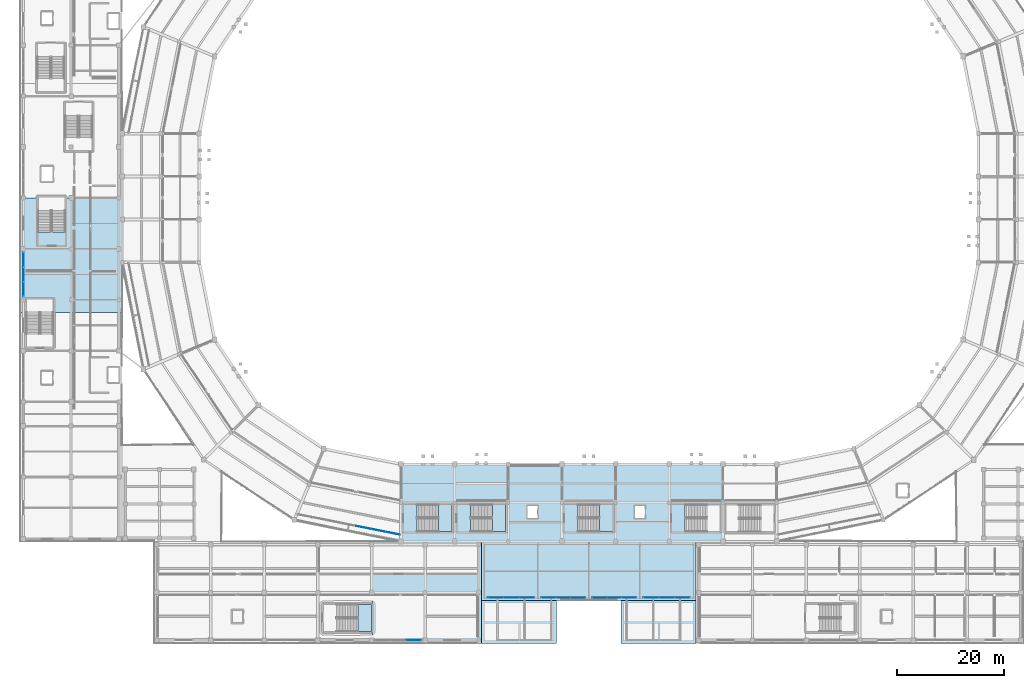
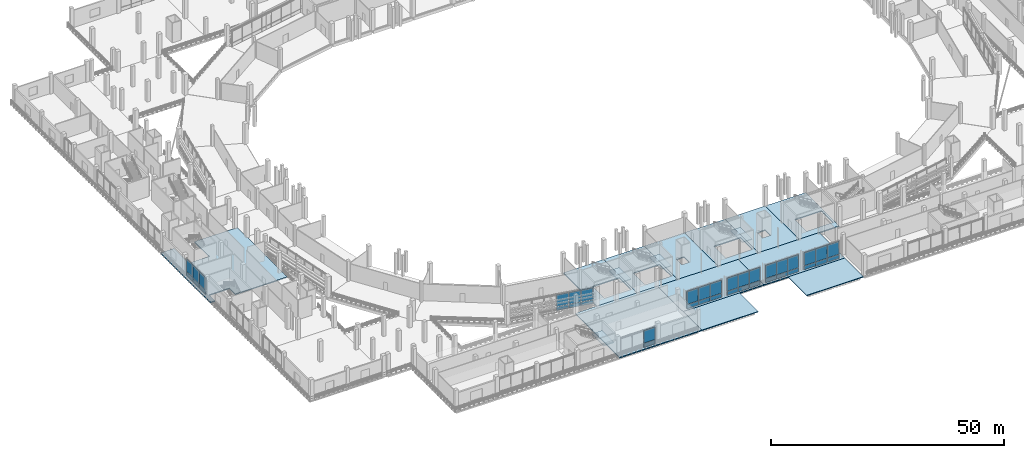
# One storey, part 63 of 114: 38 plates, 16 slabs, 11 elements without a shape of their own.
"""IFC4 building model written with IfcOpenShell, lengths in metres."""

from ifc_helpers import new_model, si_unit, direction, frame, origin, origin_2d, place, context, subcontext, project, spatial, polyline, rectangle, outline, extrude, material, layer, layer_set, type_object, element, aggregate, save


model = new_model("IFC4")

# Units and contexts
model_context = context("Model", 3, precision=1e-05, world=origin(), true_north=direction((0.0, 1.0)))
body_context = subcontext(model_context, "Body", "Model", "MODEL_VIEW")
ifc_project = project(units=[si_unit("LENGTHUNIT", "METRE"), si_unit("AREAUNIT", "SQUARE_METRE"), si_unit("VOLUMEUNIT", "CUBIC_METRE"), si_unit("PLANEANGLEUNIT", "RADIAN"), si_unit("MASSUNIT", "GRAM", prefix="KILO")], contexts=[model_context])

# Site, building, storey
site_placement = place(None, origin())
site = spatial("IfcSite", under=ifc_project, at=site_placement, CompositionType="ELEMENT")
building_placement = place(site_placement, origin())
building = spatial("IfcBuilding", under=site, at=building_placement, Name="Candeia Ridge Stadium", CompositionType="ELEMENT")
storey_placement = place(building_placement, frame((0.0, 0.0, 5.39990234375)))
storey = spatial("IfcBuildingStorey", under=building, at=storey_placement, Name="L01", CompositionType="ELEMENT", Elevation=5.39990234375)

# Slabs
ifc_material_1 = material(Name="Concrete C40/50", Category="concrete")
ifc_layer_1 = layer(ifc_material_1, 0.199951171875, Name="Concrete C40/50", Category="concrete")
ifc_layer_set_1 = layer_set([ifc_layer_1], Name="Concrete C40/50")
slab_type_1 = type_object("IfcSlabType", Name="Canopy Timber-Concrete Deck 200", PredefinedType="ROOF", material=ifc_layer_set_1)
slab_1_placement = place(storey_placement, frame((0.0, 0.0, -0.199951171875)))
element("IfcSlab", 1, at=slab_1_placement, inside=storey, type_object=slab_type_1, Name="Planted roof garden slab SLB-L01-0243", PredefinedType="ROOF", context=body_context, shape_type="SweptSolid", body=[
    extrude(outline(polyline([(86.0, 0.0), (86.0, 8.0), (100.0, 8.0), (100.0, 0.0), (86.0, 0.0)])), origin(), (0.0, 0.0, 1.0), 0.199951171875),
])
slab_2_placement = place(storey_placement, frame((0.0, 0.0, -0.199951171875)))
element("IfcSlab", 2, at=slab_2_placement, inside=storey, type_object=slab_type_1, Name="Planted roof garden slab SLB-L01-0244", PredefinedType="ROOF", context=body_context, shape_type="SweptSolid", body=[
    extrude(outline(polyline([(112.0, 0.0), (112.0, 8.0), (126.0, 8.0), (126.0, 0.0), (112.0, 0.0)])), origin(), (0.0, 0.0, 1.0), 0.199951171875),
])
ifc_layer_2 = layer(ifc_material_1, 0.260009765625, Name="Concrete C40/50", Category="concrete")
ifc_layer_set_2 = layer_set([ifc_layer_2], Name="Concrete C40/50")
slab_type_2 = type_object("IfcSlabType", Name="Concourse Structural Slab 260", PredefinedType="FLOOR", material=ifc_layer_set_2)
slab_3_placement = place(storey_placement, frame((0.0, 0.0, -0.260009765625)))
element("IfcSlab", 3, at=slab_3_placement, inside=storey, type_object=slab_type_2, Name="Bowl concourse sector slab L01 bay 19 SLB-L01-0055", PredefinedType="FLOOR", context=body_context, shape_type="SweptSolid", body=[
    extrude(outline(polyline([(81.0, 33.39990234375), (81.0, 19.0), (71.0400390625, 19.0), (71.0400390625, 33.39990234375), (81.0, 33.39990234375)]), holes=[polyline([(73.95068359375, 20.800048828125), (80.5, 20.800048828125), (80.5, 25.85009765625), (73.95068359375, 25.85009765625), (73.95068359375, 20.800048828125)])]), origin(), (0.0, 0.0, 1.0), 0.260009765625),
])
slab_4_placement = place(storey_placement, frame((0.0, 0.0, -0.260009765625)))
element("IfcSlab", 4, at=slab_4_placement, inside=storey, type_object=slab_type_2, Name="Bowl concourse sector slab L01 bay 20 SLB-L01-0056", PredefinedType="FLOOR", context=body_context, shape_type="SweptSolid", body=[
    extrude(outline(polyline([(91.0, 33.39990234375), (91.0, 19.0), (81.0, 19.0), (81.0, 33.39990234375), (91.0, 33.39990234375)]), holes=[polyline([(83.95068359375, 20.800048828125), (90.5, 20.800048828125), (90.5, 25.85009765625), (83.95068359375, 25.85009765625), (83.95068359375, 20.800048828125)])]), origin(), (0.0, 0.0, 1.0), 0.260009765625),
])
slab_5_placement = place(storey_placement, frame((0.0, 0.0, -0.260009765625)))
element("IfcSlab", 5, at=slab_5_placement, inside=storey, type_object=slab_type_2, Name="Bowl concourse sector slab L01 bay 21 SLB-L01-0057", PredefinedType="FLOOR", context=body_context, shape_type="SweptSolid", body=[
    extrude(outline(polyline([(101.0, 33.39990234375), (101.0, 19.0), (91.0, 19.0), (91.0, 33.39990234375), (101.0, 33.39990234375)]), holes=[polyline([(96.449951171875, 23.35009765625), (96.449951171875, 25.64990234375), (94.550048828125, 25.64990234375), (94.550048828125, 23.35009765625), (96.449951171875, 23.35009765625)])]), origin(), (0.0, 0.0, 1.0), 0.260009765625),
])
slab_6_placement = place(storey_placement, frame((0.0, 0.0, -0.260009765625)))
element("IfcSlab", 6, at=slab_6_placement, inside=storey, type_object=slab_type_2, Name="Bowl concourse sector slab L01 bay 22 SLB-L01-0058", PredefinedType="FLOOR", context=body_context, shape_type="SweptSolid", body=[
    extrude(outline(polyline([(111.0, 33.39990234375), (111.0, 19.0), (101.0, 19.0), (101.0, 33.39990234375), (111.0, 33.39990234375)]), holes=[polyline([(103.95068359375, 20.800048828125), (110.5, 20.800048828125), (110.5, 25.85009765625), (103.95068359375, 25.85009765625), (103.95068359375, 20.800048828125)])]), origin(), (0.0, 0.0, 1.0), 0.260009765625),
])
slab_7_placement = place(storey_placement, frame((0.0, 0.0, -0.260009765625)))
element("IfcSlab", 7, at=slab_7_placement, inside=storey, type_object=slab_type_2, Name="Bowl concourse sector slab L01 bay 23 SLB-L01-0059", PredefinedType="FLOOR", context=body_context, shape_type="SweptSolid", body=[
    extrude(outline(polyline([(121.0, 33.39990234375), (121.0, 19.0), (111.0, 19.0), (111.0, 33.39990234375), (121.0, 33.39990234375)]), holes=[polyline([(116.449951171875, 23.35009765625), (116.449951171875, 25.64990234375), (114.550048828125, 25.64990234375), (114.550048828125, 23.35009765625), (116.449951171875, 23.35009765625)])]), origin(), (0.0, 0.0, 1.0), 0.260009765625),
])
slab_8_placement = place(storey_placement, frame((0.0, 0.0, -0.260009765625)))
element("IfcSlab", 8, at=slab_8_placement, inside=storey, type_object=slab_type_2, Name="Bowl concourse sector slab L01 bay 24 SLB-L01-0060", PredefinedType="FLOOR", context=body_context, shape_type="SweptSolid", body=[
    extrude(outline(polyline([(131.0, 33.39990234375), (131.0, 19.0), (121.0, 19.0), (121.0, 33.39990234375), (131.0, 33.39990234375)]), holes=[polyline([(123.95068359375, 20.800048828125), (130.5, 20.800048828125), (130.5, 25.85009765625), (123.95068359375, 25.85009765625), (123.95068359375, 20.800048828125)])]), origin(), (0.0, 0.0, 1.0), 0.260009765625),
])
slab_9_placement = place(storey_placement, frame((0.0, 0.0, -0.260009765625)))
element("IfcSlab", 9, at=slab_9_placement, inside=storey, type_object=slab_type_2, Name="Wing floor slab sgate SLB-L01-0230", PredefinedType="FLOOR", context=body_context, shape_type="SweptSolid", body=[
    extrude(outline(polyline([(86.0, 8.0), (86.0, 19.0), (106.0, 19.0), (106.0, 8.0), (86.0, 8.0)])), origin(), (0.0, 0.0, 1.0), 0.260009765625),
])
slab_10_placement = place(storey_placement, frame((0.0, 0.0, -0.260009765625)))
element("IfcSlab", 10, at=slab_10_placement, inside=storey, type_object=slab_type_2, Name="Wing floor slab sgate SLB-L01-0231", PredefinedType="FLOOR", context=body_context, shape_type="SweptSolid", body=[
    extrude(outline(polyline([(106.0, 8.0), (106.0, 19.0), (126.0, 19.0), (126.0, 8.0), (106.0, 8.0)])), origin(), (0.0, 0.0, 1.0), 0.260009765625),
])

# Stair, slab
stair_type = type_object("IfcStairType", Name="Enclosed Core Half-Turn Stair 2450", PredefinedType="HALF_TURN_STAIR", material=ifc_material_1)
stair_1_placement = place(storey_placement, origin())
stair_1 = element("IfcStair", 11, at=stair_1_placement, inside=storey, type_object=stair_type, Name="L01 Enclosed exit stair ST02", PredefinedType="HALF_TURN_STAIR")
ifc_layer_3 = layer(ifc_material_1, 0.199951171875, Name="Concrete C40/50", Category="concrete")
ifc_layer_set_3 = layer_set([ifc_layer_3], Name="Concrete C40/50")
slab_type_3 = type_object("IfcSlabType", Name="Core Stair Landing Slab 200", PredefinedType="LANDING", material=ifc_layer_set_3)
slab_11_placement = place(storey_placement, frame((0.0, 0.0, 2.5)))
slab_11 = element("IfcSlab", 12, at=slab_11_placement, type_object=slab_type_3, Name="ST02 landing 1", PredefinedType="LANDING", context=body_context, shape_type="SweptSolid", body=[
    extrude(outline(polyline([(78.010009765625, 20.800048828125), (80.5, 20.800048828125), (80.5, 25.85009765625), (78.010009765625, 25.85009765625), (78.010009765625, 20.800048828125)])), origin(), (0.0, 0.0, 1.0), 0.2001953125),
])
aggregate(stair_1, [slab_11])

stair_2_placement = place(storey_placement, origin())
stair_2 = element("IfcStair", 13, at=stair_2_placement, inside=storey, type_object=stair_type, Name="L01 Enclosed exit stair ST11", PredefinedType="HALF_TURN_STAIR")
slab_12_placement = place(storey_placement, frame((0.0, 0.0, 2.5)))
slab_12 = element("IfcSlab", 14, at=slab_12_placement, type_object=slab_type_3, Name="ST11 landing 1", PredefinedType="LANDING", context=body_context, shape_type="SweptSolid", body=[
    extrude(outline(polyline([(88.010009765625, 20.800048828125), (90.5, 20.800048828125), (90.5, 25.85009765625), (88.010009765625, 25.85009765625), (88.010009765625, 20.800048828125)])), origin(), (0.0, 0.0, 1.0), 0.2001953125),
])
aggregate(stair_2, [slab_12])

stair_3_placement = place(storey_placement, origin())
stair_3 = element("IfcStair", 15, at=stair_3_placement, inside=storey, type_object=stair_type, Name="L01 Enclosed exit stair ST13", PredefinedType="HALF_TURN_STAIR")
slab_13_placement = place(storey_placement, frame((0.0, 0.0, 2.5)))
slab_13 = element("IfcSlab", 16, at=slab_13_placement, type_object=slab_type_3, Name="ST13 landing 1", PredefinedType="LANDING", context=body_context, shape_type="SweptSolid", body=[
    extrude(outline(polyline([(63.010009765625, 2.199951171875), (65.5, 2.199951171875), (65.5, 7.25), (63.010009765625, 7.25), (63.010009765625, 2.199951171875)])), origin(), (0.0, 0.0, 1.0), 0.2001953125),
])
aggregate(stair_3, [slab_13])

stair_4_placement = place(storey_placement, origin())
stair_4 = element("IfcStair", 17, at=stair_4_placement, inside=storey, type_object=stair_type, Name="L01 Enclosed exit stair ST18", PredefinedType="HALF_TURN_STAIR")
slab_14_placement = place(storey_placement, frame((0.0, 0.0, 2.5)))
slab_14 = element("IfcSlab", 18, at=slab_14_placement, type_object=slab_type_3, Name="ST18 landing 1", PredefinedType="LANDING", context=body_context, shape_type="SweptSolid", body=[
    extrude(outline(polyline([(108.010009765625, 20.800048828125), (110.5, 20.800048828125), (110.5, 25.85009765625), (108.010009765625, 25.85009765625), (108.010009765625, 20.800048828125)])), origin(), (0.0, 0.0, 1.0), 0.2001953125),
])
aggregate(stair_4, [slab_14])

# Curtain wall, plates
ifc_material_2 = material(Name="Aluminium Anodized Warm Bronze", Category="aluminium")
curtain_wall_type_1 = type_object("IfcCurtainWallType", Name="Cardinal Entrance Gate Tall Glazed Curtain Wall", PredefinedType="NOTDEFINED", material=ifc_material_2)
curtain_wall_1_placement = place(storey_placement, origin())
curtain_wall_1 = element("IfcCurtainWall", 19, at=curtain_wall_1_placement, inside=storey, type_object=curtain_wall_type_1, Name="Unitised curtain wall CW-WNG-L01-077", PredefinedType="NOTDEFINED")
ifc_material_3 = material(Name="Laminated Acoustic Glazing", Category="glass")
ifc_layer_4 = layer(ifc_material_3, 0.035888671875, Name="Laminated Acoustic Glazing", Category="glass")
ifc_layer_set_4 = layer_set([ifc_layer_4], Name="Laminated Acoustic Glazing")
plate_type_1 = type_object("IfcPlateType", Name="Gate Tall Laminated Glass Panel GP3", PredefinedType="CURTAIN_PANEL", material=ifc_layer_set_4)
plate_1_placement = place(storey_placement, frame((0.60009765625, 66.023193359375, 1.14013671875), z_axis=(0.0, 0.0, 1.0), x_axis=(0.0, 1.0, 0.0)))
plate_1 = element("IfcPlate", 20, at=plate_1_placement, type_object=plate_type_1, Name="Curtain wall vision glass panel CW-WNG-L01-077-GP0", PredefinedType="CURTAIN_PANEL", context=body_context, shape_type="SweptSolid", body=[
    extrude(rectangle(XDim=2.65673828125, YDim=0.035888671875, at=origin_2d()), origin(), (0.0, 0.0, 1.0), 3.294921875),
])
plate_2_placement = place(storey_placement, frame((0.60009765625, 68.75, 1.14013671875), z_axis=(0.0, 0.0, 1.0), x_axis=(0.0, 1.0, 0.0)))
plate_2 = element("IfcPlate", 21, at=plate_2_placement, type_object=plate_type_1, Name="Curtain wall vision glass panel CW-WNG-L01-077-GP1", PredefinedType="CURTAIN_PANEL", context=body_context, shape_type="SweptSolid", body=[
    extrude(rectangle(XDim=2.65673828125, YDim=0.035888671875, at=origin_2d()), origin(), (0.0, 0.0, 1.0), 3.294921875),
])
plate_3_placement = place(storey_placement, frame((0.60009765625, 71.476806640625, 1.14013671875), z_axis=(0.0, 0.0, 1.0), x_axis=(0.0, 1.0, 0.0)))
plate_3 = element("IfcPlate", 22, at=plate_3_placement, type_object=plate_type_1, Name="Curtain wall vision glass panel CW-WNG-L01-077-GP2", PredefinedType="CURTAIN_PANEL", context=body_context, shape_type="SweptSolid", body=[
    extrude(rectangle(XDim=2.65673828125, YDim=0.035888671875, at=origin_2d()), origin(), (0.0, 0.0, 1.0), 3.294921875),
])

curtain_wall_2_placement = place(storey_placement, origin())
curtain_wall_2 = element("IfcCurtainWall", 23, at=curtain_wall_2_placement, inside=storey, type_object=curtain_wall_type_1, Name="Unitised curtain wall CW-WNG-L01-117", PredefinedType="NOTDEFINED")
plate_4_placement = place(storey_placement, frame((88.606689453125, 8.5, 1.14013671875), z_axis=(0.0, 0.0, 1.0), x_axis=(1.0, 0.0, 0.0)))
plate_4 = element("IfcPlate", 24, at=plate_4_placement, type_object=plate_type_1, Name="Curtain wall vision glass panel CW-WNG-L01-117-GP0", PredefinedType="CURTAIN_PANEL", context=body_context, shape_type="SweptSolid", body=[
    extrude(rectangle(XDim=2.8232421875, YDim=0.035888671875, at=origin_2d()), origin(), (0.0, 0.0, 1.0), 3.412109375),
])
plate_5_placement = place(storey_placement, frame((91.5, 8.5, 1.14013671875), z_axis=(0.0, 0.0, 1.0), x_axis=(1.0, 0.0, 0.0)))
plate_5 = element("IfcPlate", 25, at=plate_5_placement, type_object=plate_type_1, Name="Curtain wall vision glass panel CW-WNG-L01-117-GP1", PredefinedType="CURTAIN_PANEL", context=body_context, shape_type="SweptSolid", body=[
    extrude(rectangle(XDim=2.8232421875, YDim=0.035888671875, at=origin_2d()), origin(), (0.0, 0.0, 1.0), 3.412109375),
])
plate_6_placement = place(storey_placement, frame((94.393310546875, 8.5, 1.14013671875), z_axis=(0.0, 0.0, 1.0), x_axis=(1.0, 0.0, 0.0)))
plate_6 = element("IfcPlate", 26, at=plate_6_placement, type_object=plate_type_1, Name="Curtain wall vision glass panel CW-WNG-L01-117-GP2", PredefinedType="CURTAIN_PANEL", context=body_context, shape_type="SweptSolid", body=[
    extrude(rectangle(XDim=2.8232421875, YDim=0.035888671875, at=origin_2d()), origin(), (0.0, 0.0, 1.0), 3.412109375),
])

curtain_wall_3_placement = place(storey_placement, origin())
curtain_wall_3 = element("IfcCurtainWall", 27, at=curtain_wall_3_placement, inside=storey, type_object=curtain_wall_type_1, Name="Unitised curtain wall CW-WNG-L01-118", PredefinedType="NOTDEFINED")
plate_7_placement = place(storey_placement, frame((98.523193359375, 8.5, 1.14013671875), z_axis=(0.0, 0.0, 1.0), x_axis=(1.0, 0.0, 0.0)))
plate_7 = element("IfcPlate", 28, at=plate_7_placement, type_object=plate_type_1, Name="Curtain wall vision glass panel CW-WNG-L01-118-GP0", PredefinedType="CURTAIN_PANEL", context=body_context, shape_type="SweptSolid", body=[
    extrude(rectangle(XDim=2.65673828125, YDim=0.035888671875, at=origin_2d()), origin(), (0.0, 0.0, 1.0), 3.412109375),
])
plate_8_placement = place(storey_placement, frame((101.25, 8.5, 1.14013671875), z_axis=(0.0, 0.0, 1.0), x_axis=(1.0, 0.0, 0.0)))
plate_8 = element("IfcPlate", 29, at=plate_8_placement, type_object=plate_type_1, Name="Curtain wall vision glass panel CW-WNG-L01-118-GP1", PredefinedType="CURTAIN_PANEL", context=body_context, shape_type="SweptSolid", body=[
    extrude(rectangle(XDim=2.65673828125, YDim=0.035888671875, at=origin_2d()), origin(), (0.0, 0.0, 1.0), 3.412109375),
])
plate_9_placement = place(storey_placement, frame((103.976806640625, 8.5, 1.14013671875), z_axis=(0.0, 0.0, 1.0), x_axis=(1.0, 0.0, 0.0)))
plate_9 = element("IfcPlate", 30, at=plate_9_placement, type_object=plate_type_1, Name="Curtain wall vision glass panel CW-WNG-L01-118-GP2", PredefinedType="CURTAIN_PANEL", context=body_context, shape_type="SweptSolid", body=[
    extrude(rectangle(XDim=2.65673828125, YDim=0.035888671875, at=origin_2d()), origin(), (0.0, 0.0, 1.0), 3.412109375),
])

curtain_wall_4_placement = place(storey_placement, origin())
curtain_wall_4 = element("IfcCurtainWall", 31, at=curtain_wall_4_placement, inside=storey, type_object=curtain_wall_type_1, Name="Unitised curtain wall CW-WNG-L01-119", PredefinedType="NOTDEFINED")
plate_10_placement = place(storey_placement, frame((108.023193359375, 8.5, 1.14013671875), z_axis=(0.0, 0.0, 1.0), x_axis=(1.0, 0.0, 0.0)))
plate_10 = element("IfcPlate", 32, at=plate_10_placement, type_object=plate_type_1, Name="Curtain wall vision glass panel CW-WNG-L01-119-GP0", PredefinedType="CURTAIN_PANEL", context=body_context, shape_type="SweptSolid", body=[
    extrude(rectangle(XDim=2.65673828125, YDim=0.035888671875, at=origin_2d()), origin(), (0.0, 0.0, 1.0), 3.412109375),
])
plate_11_placement = place(storey_placement, frame((110.75, 8.5, 1.14013671875), z_axis=(0.0, 0.0, 1.0), x_axis=(1.0, 0.0, 0.0)))
plate_11 = element("IfcPlate", 33, at=plate_11_placement, type_object=plate_type_1, Name="Curtain wall vision glass panel CW-WNG-L01-119-GP1", PredefinedType="CURTAIN_PANEL", context=body_context, shape_type="SweptSolid", body=[
    extrude(rectangle(XDim=2.65673828125, YDim=0.035888671875, at=origin_2d()), origin(), (0.0, 0.0, 1.0), 3.412109375),
])
plate_12_placement = place(storey_placement, frame((113.476806640625, 8.5, 1.14013671875), z_axis=(0.0, 0.0, 1.0), x_axis=(1.0, 0.0, 0.0)))
plate_12 = element("IfcPlate", 34, at=plate_12_placement, type_object=plate_type_1, Name="Curtain wall vision glass panel CW-WNG-L01-119-GP2", PredefinedType="CURTAIN_PANEL", context=body_context, shape_type="SweptSolid", body=[
    extrude(rectangle(XDim=2.65673828125, YDim=0.035888671875, at=origin_2d()), origin(), (0.0, 0.0, 1.0), 3.412109375),
])

curtain_wall_5_placement = place(storey_placement, origin())
curtain_wall_5 = element("IfcCurtainWall", 35, at=curtain_wall_5_placement, inside=storey, type_object=curtain_wall_type_1, Name="Unitised curtain wall CW-WNG-L01-120", PredefinedType="NOTDEFINED")
plate_13_placement = place(storey_placement, frame((117.606689453125, 8.5, 1.14013671875), z_axis=(0.0, 0.0, 1.0), x_axis=(1.0, 0.0, 0.0)))
plate_13 = element("IfcPlate", 36, at=plate_13_placement, type_object=plate_type_1, Name="Curtain wall vision glass panel CW-WNG-L01-120-GP0", PredefinedType="CURTAIN_PANEL", context=body_context, shape_type="SweptSolid", body=[
    extrude(rectangle(XDim=2.8232421875, YDim=0.035888671875, at=origin_2d()), origin(), (0.0, 0.0, 1.0), 3.412109375),
])
plate_14_placement = place(storey_placement, frame((120.5, 8.5, 1.14013671875), z_axis=(0.0, 0.0, 1.0), x_axis=(1.0, 0.0, 0.0)))
plate_14 = element("IfcPlate", 37, at=plate_14_placement, type_object=plate_type_1, Name="Curtain wall vision glass panel CW-WNG-L01-120-GP1", PredefinedType="CURTAIN_PANEL", context=body_context, shape_type="SweptSolid", body=[
    extrude(rectangle(XDim=2.8232421875, YDim=0.035888671875, at=origin_2d()), origin(), (0.0, 0.0, 1.0), 3.412109375),
])
plate_15_placement = place(storey_placement, frame((123.393310546875, 8.5, 1.14013671875), z_axis=(0.0, 0.0, 1.0), x_axis=(1.0, 0.0, 0.0)))
plate_15 = element("IfcPlate", 38, at=plate_15_placement, type_object=plate_type_1, Name="Curtain wall vision glass panel CW-WNG-L01-120-GP2", PredefinedType="CURTAIN_PANEL", context=body_context, shape_type="SweptSolid", body=[
    extrude(rectangle(XDim=2.8232421875, YDim=0.035888671875, at=origin_2d()), origin(), (0.0, 0.0, 1.0), 3.412109375),
])

# Slabs
ifc_layer_5 = layer(ifc_material_1, 0.25, Name="Concrete C40/50", Category="concrete")
ifc_layer_set_5 = layer_set([ifc_layer_5], Name="Concrete C40/50")
slab_type_4 = type_object("IfcSlabType", Name="Hospitality & Museum Slab 250", PredefinedType="FLOOR", material=ifc_layer_set_5)
slab_15_placement = place(storey_placement, frame((0.0, 0.0, -0.25)))
element("IfcSlab", 39, at=slab_15_placement, inside=storey, type_object=slab_type_4, Name="Wing floor slab west SLB-L01-0214", PredefinedType="FLOOR", context=body_context, shape_type="SweptSolid", body=[
    extrude(outline(polyline([(19.0, 83.0), (19.0, 61.666748046875), (6.199951171875, 61.666748046875), (6.199951171875, 64.199951171875), (1.14990234375, 64.199951171875), (1.14990234375, 61.666748046875), (0.0, 61.666748046875), (0.0, 83.0), (3.35009765625, 83.0), (3.35009765625, 76.650634765625), (8.39990234375, 76.650634765625), (8.39990234375, 83.0), (19.0, 83.0)])), origin(), (0.0, 0.0, 1.0), 0.25),
])
slab_16_placement = place(storey_placement, frame((0.0, 0.0, -0.25)))
element("IfcSlab", 40, at=slab_16_placement, inside=storey, type_object=slab_type_4, Name="Wing floor slab sw_s SLB-L01-0226", PredefinedType="FLOOR", context=body_context, shape_type="SweptSolid", body=[
    extrude(outline(polyline([(65.666748046875, 0.0), (65.666748046875, 19.0), (86.0, 19.0), (86.0, 0.0), (65.666748046875, 0.0)])), origin(), (0.0, 0.0, 1.0), 0.25),
])

# Curtain wall, plates
curtain_wall_type_2 = type_object("IfcCurtainWallType", Name="Concourse Recessed Unitised Curtain Wall", PredefinedType="NOTDEFINED", material=ifc_material_2)
curtain_wall_6_placement = place(storey_placement, origin())
curtain_wall_6 = element("IfcCurtainWall", 41, at=curtain_wall_6_placement, inside=storey, type_object=curtain_wall_type_2, Name="Unitised curtain wall CW-BWL-L01-17", PredefinedType="NOTDEFINED")
ifc_material_4 = material(Name="Aluminium Insulated Spandrel", Category="aluminium")
ifc_layer_6 = layer(ifc_material_4, 0.06494140625, Name="Aluminium Insulated Spandrel", Category="aluminium")
ifc_layer_set_6 = layer_set([ifc_layer_6], Name="Aluminium Insulated Spandrel")
plate_type_2 = type_object("IfcPlateType", Name="Insulated Bronze Spandrel Panel SP4", PredefinedType="CURTAIN_PANEL", material=ifc_layer_set_6)
plate_16_placement = place(storey_placement, frame((64.006591796875, 21.591064453125, 0.0400390625), z_axis=(0.0, 0.0, 1.0), x_axis=(0.980785280696, -0.195090320544, 0.0)))
plate_16 = element("IfcPlate", 42, at=plate_16_placement, type_object=plate_type_2, Name="Curtain wall spandrel panel CW-BWL-L01-17-SP4", PredefinedType="CURTAIN_PANEL", context=body_context, shape_type="SweptSolid", body=[
    extrude(rectangle(XDim=2.710205078125, YDim=0.06494140625, at=origin_2d()), origin(), (0.0, 0.0, 1.0), 0.97119140625),
])
plate_17_placement = place(storey_placement, frame((66.7333984375, 21.048583984375, 0.0400390625), z_axis=(0.0, 0.0, 1.0), x_axis=(0.980785280696, -0.195090320544, 0.0)))
plate_17 = element("IfcPlate", 43, at=plate_17_placement, type_object=plate_type_2, Name="Curtain wall spandrel panel CW-BWL-L01-17-SP5", PredefinedType="CURTAIN_PANEL", context=body_context, shape_type="SweptSolid", body=[
    extrude(rectangle(XDim=2.710205078125, YDim=0.06494140625, at=origin_2d()), origin(), (0.0, 0.0, 1.0), 0.97119140625),
])
plate_18_placement = place(storey_placement, frame((69.460205078125, 20.50634765625, 0.0400390625), z_axis=(0.0, 0.0, 1.0), x_axis=(0.980785280696, -0.195090320544, 0.0)))
plate_18 = element("IfcPlate", 44, at=plate_18_placement, type_object=plate_type_2, Name="Curtain wall spandrel panel CW-BWL-L01-17-SP6", PredefinedType="CURTAIN_PANEL", context=body_context, shape_type="SweptSolid", body=[
    extrude(rectangle(XDim=2.710205078125, YDim=0.06494140625, at=origin_2d()), origin(), (0.0, 0.0, 1.0), 0.97119140625),
])

# Plate
ifc_layer_7 = layer(ifc_material_4, 0.06494140625, Name="Aluminium Insulated Spandrel", Category="aluminium")
ifc_layer_set_7 = layer_set([ifc_layer_7], Name="Aluminium Insulated Spandrel")
plate_type_3 = type_object("IfcPlateType", Name="Insulated Cedar-Tone Spandrel Panel SP3", PredefinedType="CURTAIN_PANEL", material=ifc_layer_set_7)
plate_19_placement = place(storey_placement, frame((0.60009765625, 66.023193359375, 0.0400390625), z_axis=(0.0, 0.0, 1.0), x_axis=(0.0, 1.0, 0.0)))
plate_19 = element("IfcPlate", 45, at=plate_19_placement, type_object=plate_type_3, Name="Curtain wall spandrel panel CW-WNG-L01-077-SP0", PredefinedType="CURTAIN_PANEL", context=body_context, shape_type="SweptSolid", body=[
    extrude(rectangle(XDim=2.65673828125, YDim=0.06494140625, at=origin_2d()), origin(), (0.0, 0.0, 1.0), 1.02001953125),
])

plate_20_placement = place(storey_placement, frame((0.60009765625, 68.75, 0.0400390625), z_axis=(0.0, 0.0, 1.0), x_axis=(0.0, 1.0, 0.0)))
plate_20 = element("IfcPlate", 46, at=plate_20_placement, type_object=plate_type_3, Name="Curtain wall spandrel panel CW-WNG-L01-077-SP1", PredefinedType="CURTAIN_PANEL", context=body_context, shape_type="SweptSolid", body=[
    extrude(rectangle(XDim=2.65673828125, YDim=0.06494140625, at=origin_2d()), origin(), (0.0, 0.0, 1.0), 1.02001953125),
])

plate_21_placement = place(storey_placement, frame((0.60009765625, 71.476806640625, 0.0400390625), z_axis=(0.0, 0.0, 1.0), x_axis=(0.0, 1.0, 0.0)))
plate_21 = element("IfcPlate", 47, at=plate_21_placement, type_object=plate_type_3, Name="Curtain wall spandrel panel CW-WNG-L01-077-SP2", PredefinedType="CURTAIN_PANEL", context=body_context, shape_type="SweptSolid", body=[
    extrude(rectangle(XDim=2.65673828125, YDim=0.06494140625, at=origin_2d()), origin(), (0.0, 0.0, 1.0), 1.02001953125),
])

aggregate(curtain_wall_1, [plate_19, plate_1, plate_20, plate_2, plate_21, plate_3])

# Curtain wall, plate
curtain_wall_type_3 = type_object("IfcCurtainWallType", Name="Museum & Boulevard Showcase Curtain Wall", PredefinedType="NOTDEFINED", material=ifc_material_2)
curtain_wall_7_placement = place(storey_placement, origin())
curtain_wall_7 = element("IfcCurtainWall", 48, at=curtain_wall_7_placement, inside=storey, type_object=curtain_wall_type_3, Name="Unitised curtain wall CW-WNG-L01-113", PredefinedType="NOTDEFINED")
plate_22_placement = place(storey_placement, frame((73.393310546875, 0.60009765625, 0.0400390625), z_axis=(0.0, 0.0, 1.0), x_axis=(1.0, 0.0, 0.0)))
plate_22 = element("IfcPlate", 49, at=plate_22_placement, type_object=plate_type_3, Name="Curtain wall spandrel panel CW-WNG-L01-113-SP2", PredefinedType="CURTAIN_PANEL", context=body_context, shape_type="SweptSolid", body=[
    extrude(rectangle(XDim=2.8232421875, YDim=0.06494140625, at=origin_2d()), origin(), (0.0, 0.0, 1.0), 1.02001953125),
])

# Plate
plate_23_placement = place(storey_placement, frame((88.606689453125, 8.5, 0.0400390625), z_axis=(0.0, 0.0, 1.0), x_axis=(1.0, 0.0, 0.0)))
plate_23 = element("IfcPlate", 50, at=plate_23_placement, type_object=plate_type_3, Name="Curtain wall spandrel panel CW-WNG-L01-117-SP0", PredefinedType="CURTAIN_PANEL", context=body_context, shape_type="SweptSolid", body=[
    extrude(rectangle(XDim=2.8232421875, YDim=0.06494140625, at=origin_2d()), origin(), (0.0, 0.0, 1.0), 1.02001953125),
])

plate_24_placement = place(storey_placement, frame((91.5, 8.5, 0.0400390625), z_axis=(0.0, 0.0, 1.0), x_axis=(1.0, 0.0, 0.0)))
plate_24 = element("IfcPlate", 51, at=plate_24_placement, type_object=plate_type_3, Name="Curtain wall spandrel panel CW-WNG-L01-117-SP1", PredefinedType="CURTAIN_PANEL", context=body_context, shape_type="SweptSolid", body=[
    extrude(rectangle(XDim=2.8232421875, YDim=0.06494140625, at=origin_2d()), origin(), (0.0, 0.0, 1.0), 1.02001953125),
])

plate_25_placement = place(storey_placement, frame((94.393310546875, 8.5, 0.0400390625), z_axis=(0.0, 0.0, 1.0), x_axis=(1.0, 0.0, 0.0)))
plate_25 = element("IfcPlate", 52, at=plate_25_placement, type_object=plate_type_3, Name="Curtain wall spandrel panel CW-WNG-L01-117-SP2", PredefinedType="CURTAIN_PANEL", context=body_context, shape_type="SweptSolid", body=[
    extrude(rectangle(XDim=2.8232421875, YDim=0.06494140625, at=origin_2d()), origin(), (0.0, 0.0, 1.0), 1.02001953125),
])

aggregate(curtain_wall_2, [plate_23, plate_4, plate_24, plate_5, plate_25, plate_6])

plate_26_placement = place(storey_placement, frame((98.523193359375, 8.5, 0.0400390625), z_axis=(0.0, 0.0, 1.0), x_axis=(1.0, 0.0, 0.0)))
plate_26 = element("IfcPlate", 53, at=plate_26_placement, type_object=plate_type_3, Name="Curtain wall spandrel panel CW-WNG-L01-118-SP0", PredefinedType="CURTAIN_PANEL", context=body_context, shape_type="SweptSolid", body=[
    extrude(rectangle(XDim=2.65673828125, YDim=0.06494140625, at=origin_2d()), origin(), (0.0, 0.0, 1.0), 1.02001953125),
])

plate_27_placement = place(storey_placement, frame((101.25, 8.5, 0.0400390625), z_axis=(0.0, 0.0, 1.0), x_axis=(1.0, 0.0, 0.0)))
plate_27 = element("IfcPlate", 54, at=plate_27_placement, type_object=plate_type_3, Name="Curtain wall spandrel panel CW-WNG-L01-118-SP1", PredefinedType="CURTAIN_PANEL", context=body_context, shape_type="SweptSolid", body=[
    extrude(rectangle(XDim=2.65673828125, YDim=0.06494140625, at=origin_2d()), origin(), (0.0, 0.0, 1.0), 1.02001953125),
])

plate_28_placement = place(storey_placement, frame((103.976806640625, 8.5, 0.0400390625), z_axis=(0.0, 0.0, 1.0), x_axis=(1.0, 0.0, 0.0)))
plate_28 = element("IfcPlate", 55, at=plate_28_placement, type_object=plate_type_3, Name="Curtain wall spandrel panel CW-WNG-L01-118-SP2", PredefinedType="CURTAIN_PANEL", context=body_context, shape_type="SweptSolid", body=[
    extrude(rectangle(XDim=2.65673828125, YDim=0.06494140625, at=origin_2d()), origin(), (0.0, 0.0, 1.0), 1.02001953125),
])

aggregate(curtain_wall_3, [plate_26, plate_7, plate_27, plate_8, plate_28, plate_9])

plate_29_placement = place(storey_placement, frame((108.023193359375, 8.5, 0.0400390625), z_axis=(0.0, 0.0, 1.0), x_axis=(1.0, 0.0, 0.0)))
plate_29 = element("IfcPlate", 56, at=plate_29_placement, type_object=plate_type_3, Name="Curtain wall spandrel panel CW-WNG-L01-119-SP0", PredefinedType="CURTAIN_PANEL", context=body_context, shape_type="SweptSolid", body=[
    extrude(rectangle(XDim=2.65673828125, YDim=0.06494140625, at=origin_2d()), origin(), (0.0, 0.0, 1.0), 1.02001953125),
])

plate_30_placement = place(storey_placement, frame((110.75, 8.5, 0.0400390625), z_axis=(0.0, 0.0, 1.0), x_axis=(1.0, 0.0, 0.0)))
plate_30 = element("IfcPlate", 57, at=plate_30_placement, type_object=plate_type_3, Name="Curtain wall spandrel panel CW-WNG-L01-119-SP1", PredefinedType="CURTAIN_PANEL", context=body_context, shape_type="SweptSolid", body=[
    extrude(rectangle(XDim=2.65673828125, YDim=0.06494140625, at=origin_2d()), origin(), (0.0, 0.0, 1.0), 1.02001953125),
])

plate_31_placement = place(storey_placement, frame((113.476806640625, 8.5, 0.0400390625), z_axis=(0.0, 0.0, 1.0), x_axis=(1.0, 0.0, 0.0)))
plate_31 = element("IfcPlate", 58, at=plate_31_placement, type_object=plate_type_3, Name="Curtain wall spandrel panel CW-WNG-L01-119-SP2", PredefinedType="CURTAIN_PANEL", context=body_context, shape_type="SweptSolid", body=[
    extrude(rectangle(XDim=2.65673828125, YDim=0.06494140625, at=origin_2d()), origin(), (0.0, 0.0, 1.0), 1.02001953125),
])

aggregate(curtain_wall_4, [plate_29, plate_10, plate_30, plate_11, plate_31, plate_12])

plate_32_placement = place(storey_placement, frame((117.606689453125, 8.5, 0.0400390625), z_axis=(0.0, 0.0, 1.0), x_axis=(1.0, 0.0, 0.0)))
plate_32 = element("IfcPlate", 59, at=plate_32_placement, type_object=plate_type_3, Name="Curtain wall spandrel panel CW-WNG-L01-120-SP0", PredefinedType="CURTAIN_PANEL", context=body_context, shape_type="SweptSolid", body=[
    extrude(rectangle(XDim=2.8232421875, YDim=0.06494140625, at=origin_2d()), origin(), (0.0, 0.0, 1.0), 1.02001953125),
])

plate_33_placement = place(storey_placement, frame((120.5, 8.5, 0.0400390625), z_axis=(0.0, 0.0, 1.0), x_axis=(1.0, 0.0, 0.0)))
plate_33 = element("IfcPlate", 60, at=plate_33_placement, type_object=plate_type_3, Name="Curtain wall spandrel panel CW-WNG-L01-120-SP1", PredefinedType="CURTAIN_PANEL", context=body_context, shape_type="SweptSolid", body=[
    extrude(rectangle(XDim=2.8232421875, YDim=0.06494140625, at=origin_2d()), origin(), (0.0, 0.0, 1.0), 1.02001953125),
])

plate_34_placement = place(storey_placement, frame((123.393310546875, 8.5, 0.0400390625), z_axis=(0.0, 0.0, 1.0), x_axis=(1.0, 0.0, 0.0)))
plate_34 = element("IfcPlate", 61, at=plate_34_placement, type_object=plate_type_3, Name="Curtain wall spandrel panel CW-WNG-L01-120-SP2", PredefinedType="CURTAIN_PANEL", context=body_context, shape_type="SweptSolid", body=[
    extrude(rectangle(XDim=2.8232421875, YDim=0.06494140625, at=origin_2d()), origin(), (0.0, 0.0, 1.0), 1.02001953125),
])

aggregate(curtain_wall_5, [plate_32, plate_13, plate_33, plate_14, plate_34, plate_15])

ifc_material_5 = material(Name="Tempered Low-E Double Glazing", Category="glass")
ifc_layer_8 = layer(ifc_material_5, 0.035888671875, Name="Tempered Low-E Double Glazing", Category="glass")
ifc_layer_set_8 = layer_set([ifc_layer_8], Name="Tempered Low-E Double Glazing")
plate_type_4 = type_object("IfcPlateType", Name="Pavilion Panorama Glass Panel GP4", PredefinedType="CURTAIN_PANEL", material=ifc_layer_set_8)
plate_35_placement = place(storey_placement, frame((73.393310546875, 0.60009765625, 1.14013671875), z_axis=(0.0, 0.0, 1.0), x_axis=(1.0, 0.0, 0.0)))
plate_35 = element("IfcPlate", 62, at=plate_35_placement, type_object=plate_type_4, Name="Curtain wall vision glass panel CW-WNG-L01-113-GP2", PredefinedType="CURTAIN_PANEL", context=body_context, shape_type="SweptSolid", body=[
    extrude(rectangle(XDim=2.8232421875, YDim=0.035888671875, at=origin_2d()), origin(), (0.0, 0.0, 1.0), 3.294921875),
])

aggregate(curtain_wall_7, [plate_22, plate_35])

ifc_layer_9 = layer(ifc_material_5, 0.035888671875, Name="Tempered Low-E Double Glazing", Category="glass")
ifc_layer_set_9 = layer_set([ifc_layer_9], Name="Tempered Low-E Double Glazing")
plate_type_5 = type_object("IfcPlateType", Name="Solar Control Vision Glass Panel GP1", PredefinedType="CURTAIN_PANEL", material=ifc_layer_set_9)
plate_36_placement = place(storey_placement, frame((64.006591796875, 21.591064453125, 1.09130859375), z_axis=(0.0, 0.0, 1.0), x_axis=(0.980785280696, -0.195090320544, 0.0)))
plate_36 = element("IfcPlate", 63, at=plate_36_placement, type_object=plate_type_5, Name="Curtain wall vision glass panel CW-BWL-L01-17-GP4", PredefinedType="CURTAIN_PANEL", context=body_context, shape_type="SweptSolid", body=[
    extrude(rectangle(XDim=2.710205078125, YDim=0.035888671875, at=origin_2d()), origin(), (0.0, 0.0, 1.0), 3.07373046875),
])

plate_37_placement = place(storey_placement, frame((66.7333984375, 21.048583984375, 1.09130859375), z_axis=(0.0, 0.0, 1.0), x_axis=(0.980785280696, -0.195090320544, 0.0)))
plate_37 = element("IfcPlate", 64, at=plate_37_placement, type_object=plate_type_5, Name="Curtain wall vision glass panel CW-BWL-L01-17-GP5", PredefinedType="CURTAIN_PANEL", context=body_context, shape_type="SweptSolid", body=[
    extrude(rectangle(XDim=2.710205078125, YDim=0.035888671875, at=origin_2d()), origin(), (0.0, 0.0, 1.0), 3.07373046875),
])

plate_38_placement = place(storey_placement, frame((69.460205078125, 20.50634765625, 1.09130859375), z_axis=(0.0, 0.0, 1.0), x_axis=(0.980785280696, -0.195090320544, 0.0)))
plate_38 = element("IfcPlate", 65, at=plate_38_placement, type_object=plate_type_5, Name="Curtain wall vision glass panel CW-BWL-L01-17-GP6", PredefinedType="CURTAIN_PANEL", context=body_context, shape_type="SweptSolid", body=[
    extrude(rectangle(XDim=2.710205078125, YDim=0.035888671875, at=origin_2d()), origin(), (0.0, 0.0, 1.0), 3.07373046875),
])

aggregate(curtain_wall_6, [plate_16, plate_36, plate_17, plate_37, plate_18, plate_38])

save(model, "model.ifc")
